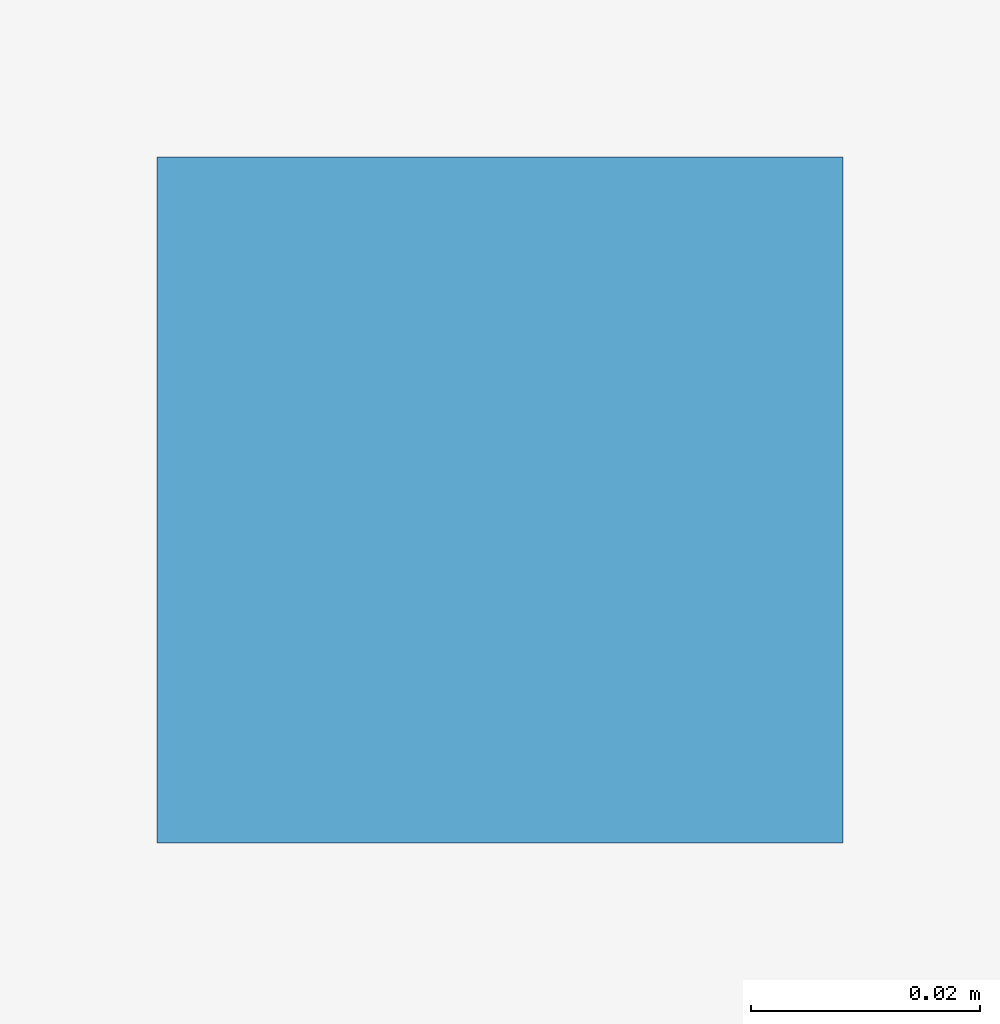
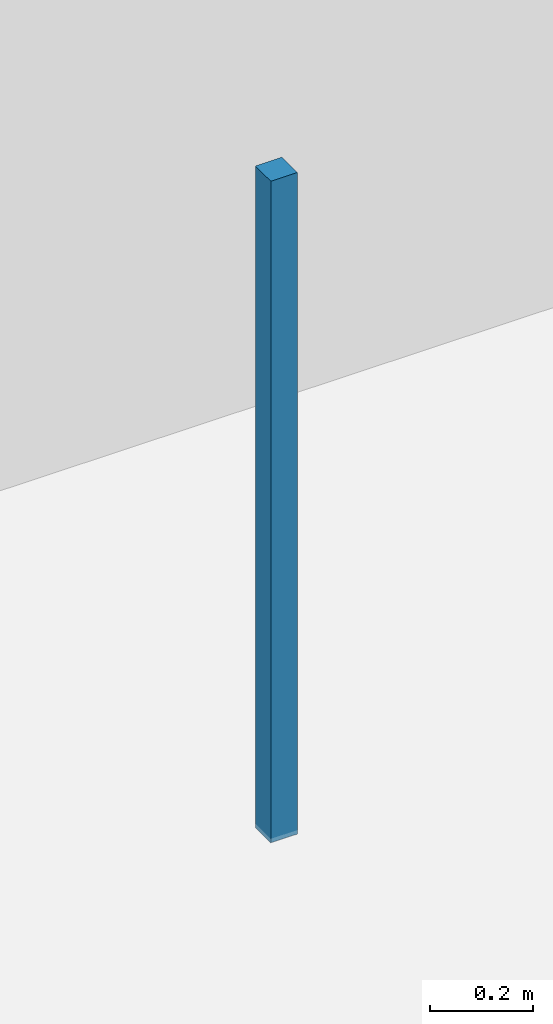
# One storey, part 95 of 105: 1 discrete accessory.
"""IFC4 building model written with IfcOpenShell, lengths in metres."""

import ifcopenshell
import ifcopenshell.guid

model = None  # the IFC model being written
_history = None  # IfcOwnerHistory: only IFC2X3 demands one
_inside = {}  # id of a spatial element -> (the spatial element, [elements in it])
_under = {}  # id of a project, library or spatial element -> (it, [spatial elements below it])
_declared = {}  # id of a project -> (the project, [libraries it declares])
_typed = {}  # id of a type object -> (the type object, [elements of that type])
_made_of = {}  # id of a material, layer set ... -> (it, [elements and type objects made of it])


def new_model(schema):
    """Start an empty IFC model of exactly this schema.

    Asked for "IFC4X3", IfcOpenShell would pick the latest addendum, in which some entities
    have other attributes; the version numbers below select the first issue.
    IFC2X3 requires an IfcOwnerHistory on every rooted entity: one is made here for all.
    """
    global model, _history
    if schema == "IFC4X3":
        model = ifcopenshell.file(schema_version=(4, 3, 0, 0))
    else:
        model = ifcopenshell.file(schema=schema)
    _inside.clear()
    _under.clear()
    _declared.clear()
    _typed.clear()
    _made_of.clear()
    _history = None
    if model.schema == "IFC2X3":
        org = make("IfcOrganization", Name="unknown")
        user = make(
            "IfcPersonAndOrganization",
            ThePerson=make("IfcPerson", FamilyName="unknown"),
            TheOrganization=org,
        )
        app = make(
            "IfcApplication",
            ApplicationDeveloper=org,
            Version="unknown",
            ApplicationFullName="unknown",
            ApplicationIdentifier="unknown",
        )
        _history = make(
            "IfcOwnerHistory",
            OwningUser=user,
            OwningApplication=app,
            ChangeAction="ADDED",
            CreationDate=0,
        )
    return model


def make(cls, **values):
    """One entity of the class cls with the attributes given. An attribute that is None is left unset."""
    return model.create_entity(
        cls, **{name: value for name, value in values.items() if value is not None}
    )


def rooted(cls, **values):
    """An entity with a GlobalId (a new one), such as an element, a storey or a relation."""
    return make(cls, GlobalId=ifcopenshell.guid.new(), OwnerHistory=_history, **values)


def si_unit(unit_type, name, prefix=None):
    """IfcSIUnit, for example si_unit("LENGTHUNIT", "METRE", prefix="MILLI")."""
    return make("IfcSIUnit", UnitType=unit_type, Prefix=prefix, Name=name)


def assignment(units):
    """IfcUnitAssignment: the units of a project."""
    return None if units is None else make("IfcUnitAssignment", Units=units)


def point(xyz):
    """IfcCartesianPoint."""
    return None if xyz is None else make("IfcCartesianPoint", Coordinates=xyz)


def direction(xyz):
    """IfcDirection."""
    return None if xyz is None else make("IfcDirection", DirectionRatios=xyz)


def frame(location, z_axis=None, x_axis=None):
    """IfcAxis2Placement3D, a coordinate frame: its origin and axes. An axis left out is left unset."""
    return make(
        "IfcAxis2Placement3D",
        Location=point(location),
        Axis=direction(z_axis),
        RefDirection=direction(x_axis),
    )


def frame_2d(location, x_axis=None):
    """IfcAxis2Placement2D, a coordinate frame in the plane: its origin and x axis."""
    return make(
        "IfcAxis2Placement2D", Location=point(location), RefDirection=direction(x_axis)
    )


def origin():
    """The frame at (0, 0, 0) with its axes left unset."""
    return frame((0.0, 0.0, 0.0))


def origin_2d():
    """The frame at (0, 0) in the plane with its x axis left unset."""
    return frame_2d((0.0, 0.0))


def place(relative_to, where):
    """IfcLocalPlacement: puts the frame where relative to a parent placement (None: the world)."""
    return make(
        "IfcLocalPlacement", PlacementRelTo=relative_to, RelativePlacement=where
    )


def context(
    kind, dimensions, precision=None, world=None, true_north=None, identifier=None
):
    """IfcGeometricRepresentationContext, for example the 3D "Model" context."""
    return make(
        "IfcGeometricRepresentationContext",
        ContextIdentifier=identifier,
        ContextType=kind,
        CoordinateSpaceDimension=dimensions,
        Precision=precision,
        WorldCoordinateSystem=world,
        TrueNorth=true_north,
    )


def subcontext(parent, identifier, kind, view, scale=None):
    """IfcGeometricRepresentationSubContext, for example "Body" below "Model"."""
    return make(
        "IfcGeometricRepresentationSubContext",
        ContextIdentifier=identifier,
        ContextType=kind,
        ParentContext=parent,
        TargetScale=scale,
        TargetView=view,
    )


def project(units=None, contexts=None):
    """IfcProject with its units and contexts."""
    return rooted(
        "IfcProject",
        Name="project",
        RepresentationContexts=contexts,
        UnitsInContext=assignment(units),
    )


def spatial(cls, under=None, at=None, **own):
    """A site, building, storey or space (cls), placed at a placement, below another one or the project."""
    s = rooted(cls, ObjectPlacement=at, **own)
    if under is not None:
        _under.setdefault(under.id(), (under, []))[1].append(s)
    return s


def profile(cls, at=None, kind="AREA", **sizes):
    """A parametric profile (cls). Its sizes go by their IFC names, for example OverallWidth=200.0."""
    return make(cls, ProfileType=kind, Position=at, **sizes)


def rectangle(**sizes):
    """IfcRectangleProfileDef."""
    return profile("IfcRectangleProfileDef", **sizes)


def extrude(swept, where, along, depth):
    """IfcExtrudedAreaSolid: the profile swept, set in the frame where, extruded along a direction by depth."""
    return make(
        "IfcExtrudedAreaSolid",
        SweptArea=swept,
        Position=where,
        ExtrudedDirection=direction(along),
        Depth=depth,
    )


def shape(context_of_items, identifier, shape_type, items):
    """IfcShapeRepresentation: the items that make up one representation, for example the "Body"."""
    return make(
        "IfcShapeRepresentation",
        ContextOfItems=context_of_items,
        RepresentationIdentifier=identifier,
        RepresentationType=shape_type,
        Items=items,
    )


def material(Name=None, Category=None):
    """IfcMaterial."""
    return make("IfcMaterial", Name=Name, Category=Category)


def made_of(thing, what):
    """Note that an element or type object is made of a material, layer set ...; save() writes the relation."""
    if what is not None:
        _made_of.setdefault(what.id(), (what, []))[1].append(thing)
    return thing


def type_object(cls, material=None, **own):
    """A type object (cls), such as IfcWallType, which elements share."""
    return made_of(rooted(cls, **own), material)


def element(
    cls,
    number,
    at=None,
    inside=None,
    cuts=None,
    type_object=None,
    material=None,
    context=None,
    identifier="Body",
    shape_type=None,
    held_by="IfcProductDefinitionShape",
    body=None,
    shapes=None,
    **own,
):
    """One element of the class cls, such as IfcWall. Its Tag is "e" and its number.

    at: its placement. inside: the storey or other place that contains it. cuts: it is an
    opening in that element (IfcRelVoidsElement). A single representation is given by context,
    identifier, shape_type and body (its items); several are given by shapes. held_by: the class
    of the entity that holds the representations. save() writes the other relations.
    """
    e = rooted(cls, Tag="e%d" % number, ObjectPlacement=at, **own)
    if body is not None:
        shapes = [shape(context, identifier, shape_type, body)]
    if shapes is not None:
        e.Representation = make(held_by, Representations=shapes)
    if inside is not None:
        _inside.setdefault(inside.id(), (inside, []))[1].append(e)
    if cuts is not None:
        rooted(
            "IfcRelVoidsElement", RelatingBuildingElement=cuts, RelatedOpeningElement=e
        )
    if type_object is not None:
        _typed.setdefault(type_object.id(), (type_object, []))[1].append(e)
    return made_of(e, material)


def aggregate(whole, parts):
    """IfcRelAggregates: a whole, such as a stair, and the parts it consists of."""
    return rooted("IfcRelAggregates", RelatingObject=whole, RelatedObjects=parts)


def save(model, path):
    """Write the relations noted so far, then the file.

    IfcRelAggregates (storeys below a building ...), IfcRelContainedInSpatialStructure (elements
    in a storey), IfcRelDefinesByType, IfcRelAssociatesMaterial and IfcRelDeclares: one each for
    every whole, place, type object, material and project.
    """
    for whole, parts in _under.values():
        aggregate(whole, parts)
    for where, things in _inside.values():
        rooted(
            "IfcRelContainedInSpatialStructure",
            RelatedElements=things,
            RelatingStructure=where,
        )
    for kind, things in _typed.values():
        rooted("IfcRelDefinesByType", RelatedObjects=things, RelatingType=kind)
    for what, things in _made_of.values():
        rooted("IfcRelAssociatesMaterial", RelatedObjects=things, RelatingMaterial=what)
    for by, libraries in _declared.values():
        rooted("IfcRelDeclares", RelatingContext=by, RelatedDefinitions=libraries)
    model.write(path)


model = new_model("IFC4")

# Units and contexts
model_context = context("Model", 3, precision=1e-05, world=origin(), true_north=direction((0.0, 1.0)))
body_context = subcontext(model_context, "Body", "Model", "MODEL_VIEW")
ifc_project = project(units=[si_unit("LENGTHUNIT", "METRE"), si_unit("AREAUNIT", "SQUARE_METRE"), si_unit("VOLUMEUNIT", "CUBIC_METRE"), si_unit("PLANEANGLEUNIT", "RADIAN"), si_unit("MASSUNIT", "GRAM", prefix="KILO")], contexts=[model_context])

# Site, building, storey
site_placement = place(None, origin())
site = spatial("IfcSite", under=ifc_project, at=site_placement, CompositionType="ELEMENT")
building_placement = place(site_placement, origin())
building = spatial("IfcBuilding", under=site, at=building_placement, Name="Kaldorvane Square Convention Centre", CompositionType="ELEMENT")
storey_placement = place(building_placement, frame((0.0, 0.0, 6.0)))
storey = spatial("IfcBuildingStorey", under=building, at=storey_placement, Name="L01", CompositionType="ELEMENT", Elevation=6.0)

# Discrete accessory
ifc_material = material(Name="Architectural Painted Steel", Category="steel")
discrete_accessory_type = type_object("IfcDiscreteAccessoryType", Name="AC-HGR-060", PredefinedType="BRACKET", material=ifc_material)
discrete_accessory_placement = place(storey_placement, frame((33.0, 11.5, 4.114990234375), z_axis=(0.0, 0.0, 1.0), x_axis=(1.0, 0.0, 0.0)))
element("IfcDiscreteAccessory", 1, at=discrete_accessory_placement, inside=storey, type_object=discrete_accessory_type, Name="Ceiling Suspension Bracket 03 (L01)", PredefinedType="BRACKET", context=body_context, shape_type="SweptSolid", body=[
    extrude(rectangle(XDim=0.05999755859375, YDim=0.05999755859375, at=origin_2d()), origin(), (0.0, 0.0, 1.0), 1.5749969482421875),
])

save(model, "model.ifc")
